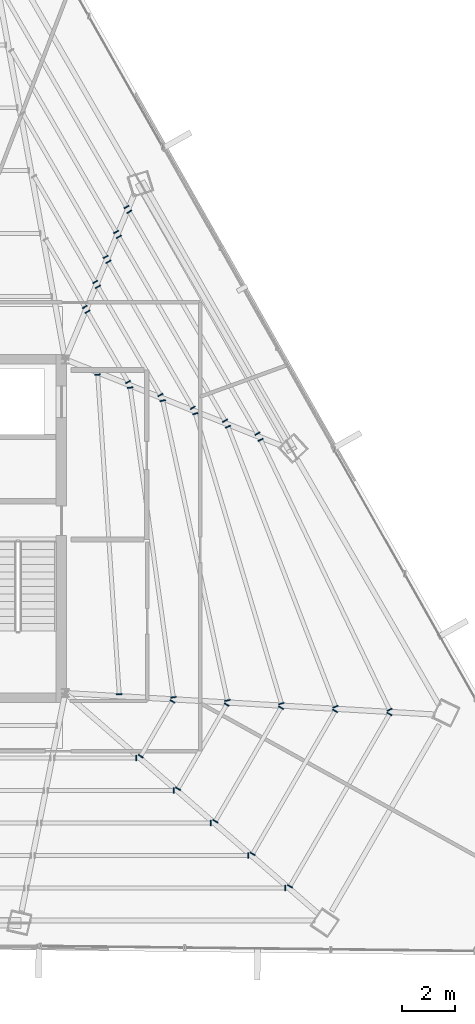
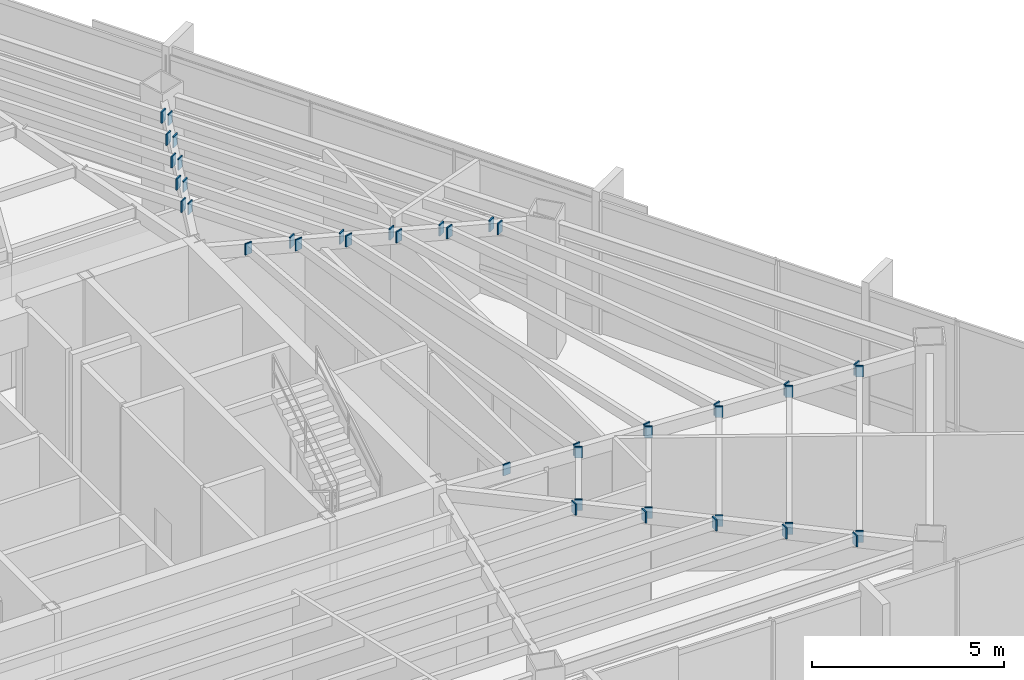
# One storey, part 31 of 37: 42 plates.
"""IFC4 building model written with IfcOpenShell, lengths in metres."""

from ifc_helpers import new_model, si_unit, direction, frame, origin, origin_2d, place, context, subcontext, project, spatial, rectangle, extrude, source, transform, mapped, material, layer, layer_set, type_object, type_shapes, element, save


model = new_model("IFC4")

# Units and contexts
model_context = context("Model", 3, precision=1e-05, world=origin(), true_north=direction((0.0, 1.0)))
body_context = subcontext(model_context, "Body", "Model", "MODEL_VIEW")
ifc_project = project(units=[si_unit("LENGTHUNIT", "METRE"), si_unit("AREAUNIT", "SQUARE_METRE"), si_unit("VOLUMEUNIT", "CUBIC_METRE"), si_unit("PLANEANGLEUNIT", "RADIAN"), si_unit("MASSUNIT", "GRAM", prefix="KILO")], contexts=[model_context])

# Site, building, storey
site_placement = place(None, origin())
site = spatial("IfcSite", under=ifc_project, at=site_placement, CompositionType="ELEMENT")
building_placement = place(site_placement, origin())
building = spatial("IfcBuilding", under=site, at=building_placement, Name="Caelisora Broadcast Tower", CompositionType="ELEMENT")
storey_placement = place(building_placement, frame((0.0, 0.0, 225.35009765625)))
storey = spatial("IfcBuildingStorey", under=building, at=storey_placement, Name="L59", CompositionType="ELEMENT", Elevation=225.35009765625)

# Plates
ifc_material = material(Name="Steel Grade 350 L15 (AS/NZS 3678)", Category="steel")
ifc_layer = layer(ifc_material, 0.0400390625, Name="Steel Grade 350 L15 (AS/NZS 3678)")
ifc_layer_set = layer_set([ifc_layer], Name="Steel Grade 350 L15 (AS/NZS 3678)")
plate_type = type_object("IfcPlateType", Name="GP04", PredefinedType="USERDEFINED", material=ifc_layer_set)
shared_shape = source(origin(), body_context, "Body", "SweptSolid", [
    extrude(rectangle(XDim=0.2099609375, YDim=0.0400390625, at=origin_2d()), origin(), (0.0, 0.0, 1.0), 0.360107421875),
])
type_shapes(plate_type, [shared_shape])
for number, where, z_axis, x_axis, name in (
    (1, (48.18701171875, 14.944580078125, 3.919921875), (0.0, 0.0, 1.0), (0.0, 1.0, 0.0), "L59 gusset plate GP04 (ND-SB-L59-039B)"),
    (2, (49.594970703125, 13.716796875, 3.919921875), (0.0, 0.0, 1.0), (0.0, 1.0, 0.0), "L59 gusset plate GP04 (ND-SB-L59-040B)"),
    (3, (51.0029296875, 12.489013671875, 3.919921875), (0.0, 0.0, 1.0), (0.0, 1.0, 0.0), "L59 gusset plate GP04 (ND-SB-L59-041B)"),
    (4, (52.410888671875, 11.261474609375, 3.919921875), (0.0, 0.0, 1.0), (0.0, 1.0, 0.0), "L59 gusset plate GP04 (ND-SB-L59-042B)"),
    (5, (53.819091796875, 10.03369140625, 3.919921875), (0.0, 0.0, 1.0), (0.0, 1.0, 0.0), "L59 gusset plate GP04 (ND-SB-L59-043B)"),
    (6, (48.35546875, 15.012939453125, 3.919921875), (0.0, 0.0, 1.0), (-0.866025403784, 0.5, 0.0), "L59 gusset plate GP04 (ND-SB-L59-044A)"),
    (7, (49.5517578125, 17.084716796875, 3.919921875), (0.0, 0.0, 1.0), (-0.866025403784, 0.5, 0.0), "L59 gusset plate GP04 (ND-SB-L59-044B)"),
    (8, (49.763671875, 13.78515625, 3.919921875), (0.0, 0.0, 1.0), (-0.866025403784, 0.5, 0.0), "L59 gusset plate GP04 (ND-SB-L59-045A)"),
    (9, (51.599853515625, 16.965576171875, 3.919921875), (0.0, 0.0, 1.0), (-0.866025403784, 0.5, 0.0), "L59 gusset plate GP04 (ND-SB-L59-045B)"),
    (10, (51.171630859375, 12.5576171875, 3.919921875), (0.0, 0.0, 1.0), (-0.866025403784, 0.5, 0.0), "L59 gusset plate GP04 (ND-SB-L59-046A)"),
    (11, (53.647705078125, 16.846435546875, 3.919921875), (0.0, 0.0, 1.0), (-0.866025403784, 0.5, 0.0), "L59 gusset plate GP04 (ND-SB-L59-046B)"),
    (12, (52.57958984375, 11.329833984375, 3.919921875), (0.0, 0.0, 1.0), (-0.866025403784, 0.5, 0.0), "L59 gusset plate GP04 (ND-SB-L59-047A)"),
    (13, (55.69580078125, 16.727294921875, 3.919921875), (0.0, 0.0, 1.0), (-0.866025403784, 0.5, 0.0), "L59 gusset plate GP04 (ND-SB-L59-047B)"),
    (14, (53.98779296875, 10.10205078125, 3.919921875), (0.0, 0.0, 1.0), (-0.866025403784, 0.5, 0.0), "L59 gusset plate GP04 (ND-SB-L59-048A)"),
    (15, (57.743896484375, 16.608154296875, 3.919921875), (0.0, 0.0, 1.0), (-0.866025403784, 0.5, 0.0), "L59 gusset plate GP04 (ND-SB-L59-048B)"),
    (16, (47.542724609375, 17.3583984375, 3.919921875), (0.0, 0.0, 1.0), (-0.997719754796, -0.067492895099, 0.0), "L59 gusset plate GP04 (ND-SB-L59-049A)"),
    (17, (46.7275390625, 29.4248046875, 3.919921875), (0.0, 0.0, 1.0), (-0.997719754796, -0.067492895099, 0.0), "L59 gusset plate GP04 (ND-SB-L59-049B)"),
    (18, (49.585205078125, 17.239990234375, 3.919921875), (0.0, 0.0, 1.0), (-0.990437361669, -0.137963156715, 0.0), "L59 gusset plate GP04 (ND-SB-L59-050A)"),
    (19, (47.955810546875, 28.93359375, 3.919921875), (0.0, 0.0, 1.0), (-0.990437361669, -0.137963156715, 0.0), "L59 gusset plate GP04 (ND-SB-L59-050B)"),
    (20, (51.627197265625, 17.12158203125, 3.919921875), (0.0, 0.0, 1.0), (-0.977526409704, -0.210812993745, 0.0), "L59 gusset plate GP04 (ND-SB-L59-051A)"),
    (21, (49.185302734375, 28.44189453125, 3.919921875), (0.0, 0.0, 1.0), (-0.977526409704, -0.210812993745, 0.0), "L59 gusset plate GP04 (ND-SB-L59-051B)"),
    (22, (53.668701171875, 17.00341796875, 3.919921875), (0.0, 0.0, 1.0), (-0.958571519664, -0.284851964518, 0.0), "L59 gusset plate GP04 (ND-SB-L59-052A)"),
    (23, (50.416015625, 27.949462890625, 3.919921875), (0.0, 0.0, 1.0), (-0.958571519664, -0.284851964518, 0.0), "L59 gusset plate GP04 (ND-SB-L59-052B)"),
    (24, (55.709228515625, 16.88525390625, 3.919921875), (0.0, 0.0, 1.0), (-0.933517865272, -0.358530884609, 0.0), "L59 gusset plate GP04 (ND-SB-L59-053A)"),
    (25, (51.6484375, 27.456298828125, 3.919921875), (0.0, 0.0, 1.0), (-0.933517865272, -0.358530884609, 0.0), "L59 gusset plate GP04 (ND-SB-L59-053B)"),
    (26, (57.7490234375, 16.767333984375, 3.919921875), (0.0, 0.0, 1.0), (-0.902434952642, -0.430826132274, 0.0), "L59 gusset plate GP04 (ND-SB-L59-054A)"),
    (27, (52.883056640625, 26.9619140625, 3.919921875), (0.0, 0.0, 1.0), (-0.902434952642, -0.430826132274, 0.0), "L59 gusset plate GP04 (ND-SB-L59-054B)"),
    (28, (47.873779296875, 29.144775390625, 3.919921875), (0.0, 0.0, 1.0), (-0.866025403784, -0.5, 0.0), "L59 gusset plate GP04 (ND-SB-L59-055A)"),
    (29, (46.341552734375, 31.798828125, 3.919921875), (0.0, 0.0, 1.0), (-0.866025403784, -0.5, 0.0), "L59 gusset plate GP04 (ND-SB-L59-055B)"),
    (30, (49.095458984375, 28.6572265625, 3.919921875), (0.0, 0.0, 1.0), (-0.866025403784, -0.5, 0.0), "L59 gusset plate GP04 (ND-SB-L59-056A)"),
    (31, (46.736572265625, 32.742919921875, 3.919921875), (0.0, 0.0, 1.0), (-0.866025403784, -0.5, 0.0), "L59 gusset plate GP04 (ND-SB-L59-056B)"),
    (32, (50.31689453125, 28.169677734375, 3.919921875), (0.0, 0.0, 1.0), (-0.866025403784, -0.5, 0.0), "L59 gusset plate GP04 (ND-SB-L59-057A)"),
    (33, (47.131591796875, 33.686767578125, 3.919921875), (0.0, 0.0, 1.0), (-0.866025403784, -0.5, 0.0), "L59 gusset plate GP04 (ND-SB-L59-057B)"),
    (34, (51.53857421875, 27.681884765625, 3.919921875), (0.0, 0.0, 1.0), (-0.866025403784, -0.5, 0.0), "L59 gusset plate GP04 (ND-SB-L59-058A)"),
    (35, (47.52685546875, 34.630615234375, 3.919921875), (0.0, 0.0, 1.0), (-0.866025403784, -0.5, 0.0), "L59 gusset plate GP04 (ND-SB-L59-058B)"),
    (36, (52.76025390625, 27.1943359375, 3.919921875), (0.0, 0.0, 1.0), (-0.866025403784, -0.5, 0.0), "L59 gusset plate GP04 (ND-SB-L59-059A)"),
    (37, (47.921875, 35.574462890625, 3.919921875), (0.0, 0.0, 1.0), (-0.866025403784, -0.5, 0.0), "L59 gusset plate GP04 (ND-SB-L59-059B)"),
    (38, (46.23876953125, 31.976806640625, 3.919921875), (0.0, 0.0, 1.0), (-0.866025403784, -0.5, 0.0), "L59 gusset plate GP04 (ND-SB-L59-060A)"),
    (39, (46.6337890625, 32.920654296875, 3.919921875), (0.0, 0.0, 1.0), (-0.866025403784, -0.5, 0.0), "L59 gusset plate GP04 (ND-SB-L59-061A)"),
    (40, (47.029052734375, 33.864501953125, 3.919921875), (0.0, 0.0, 1.0), (-0.866025403784, -0.5, 0.0), "L59 gusset plate GP04 (ND-SB-L59-062A)"),
    (41, (47.424072265625, 34.808349609375, 3.919921875), (0.0, 0.0, 1.0), (-0.866025403784, -0.5, 0.0), "L59 gusset plate GP04 (ND-SB-L59-063A)"),
    (42, (47.819091796875, 35.752197265625, 3.919921875), (0.0, 0.0, 1.0), (-0.866025403784, -0.5, 0.0), "L59 gusset plate GP04 (ND-SB-L59-064A)"),
):
    element("IfcPlate", number, at=place(storey_placement, frame(where, z_axis=z_axis, x_axis=x_axis)), inside=storey, type_object=plate_type, Name=name, ObjectType="GUSSET PLATE", PredefinedType="USERDEFINED", context=body_context, shape_type="MappedRepresentation", body=[
        mapped(shared_shape, transform((0.0, 0.0, 0.0), scale=1.0)),
    ])

save(model, "model.ifc")
